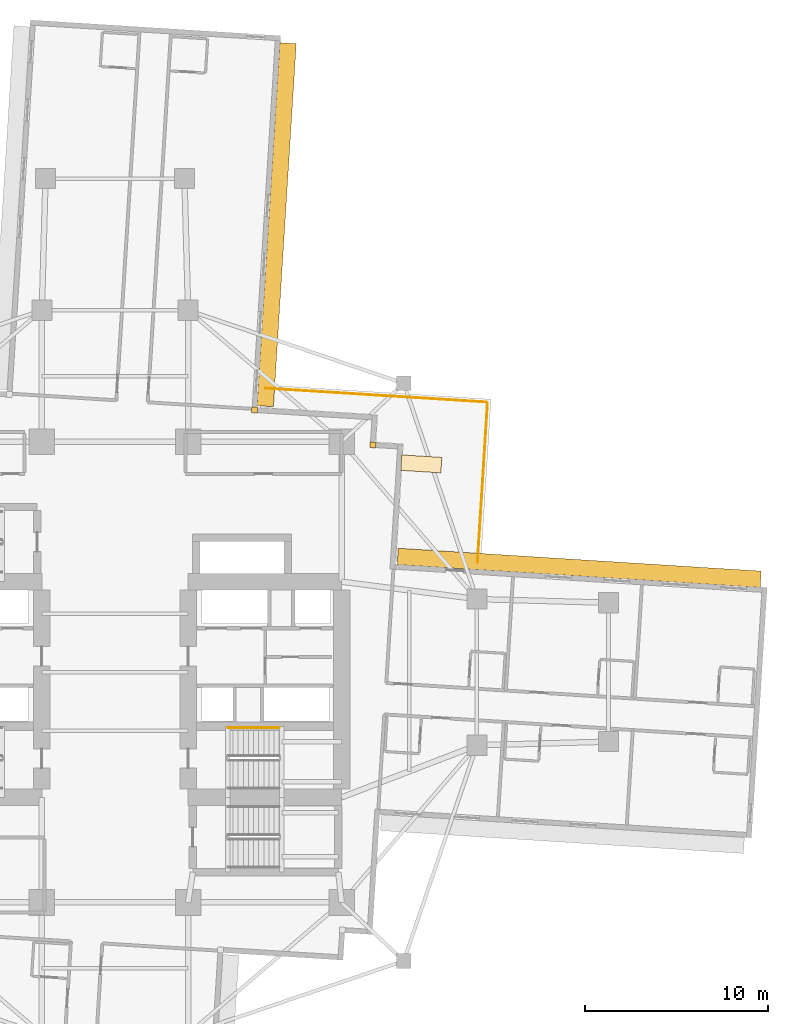
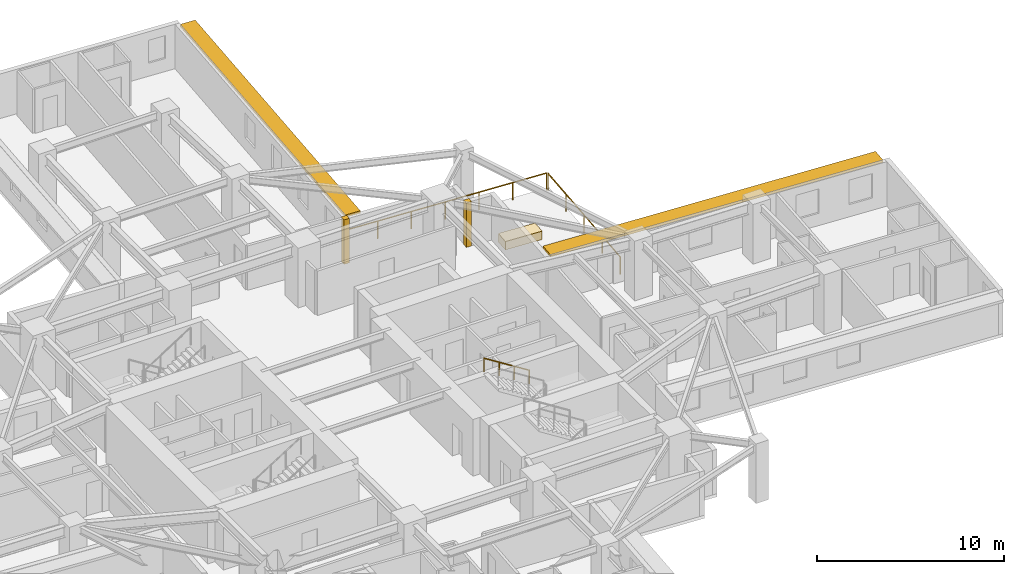
# One storey, part 14 of 14: 3 coverings, 3 railings, 2 shading devices.
"""IFC4 building model written with IfcOpenShell, lengths in metres."""

from ifc_helpers import new_model, si_unit, direction, frame, origin, origin_2d, place, context, subcontext, project, spatial, rectangle, circle, extrude, material, layer, layer_set, type_object, element, save


model = new_model("IFC4")

# Units and contexts
model_context = context("Model", 3, precision=1e-05, world=origin(), true_north=direction((0.0, 1.0)))
body_context = subcontext(model_context, "Body", "Model", "MODEL_VIEW")
ifc_project = project(units=[si_unit("LENGTHUNIT", "METRE"), si_unit("AREAUNIT", "SQUARE_METRE"), si_unit("VOLUMEUNIT", "CUBIC_METRE"), si_unit("PLANEANGLEUNIT", "RADIAN"), si_unit("MASSUNIT", "GRAM", prefix="KILO")], contexts=[model_context])

# Site, building, storey
site_placement = place(None, origin())
site = spatial("IfcSite", under=ifc_project, at=site_placement, CompositionType="ELEMENT")
building_placement = place(site_placement, origin())
building = spatial("IfcBuilding", under=site, at=building_placement, Name="Qingluan Cross Belvedere", CompositionType="ELEMENT")
storey_placement = place(building_placement, frame((0.0, 0.0, 79.5)))
storey = spatial("IfcBuildingStorey", under=building, at=storey_placement, Name="L20", CompositionType="ELEMENT", Elevation=79.5)

# Coverings
ifc_material_1 = material(Name="Precast concrete C45", Category="concrete")
ifc_layer_1 = layer(ifc_material_1, 0.1201171875, Name="ConcreteSpandrelCladding_120")
ifc_layer_set_1 = layer_set([ifc_layer_1], Name="Precast concrete C45")
covering_type_1 = type_object("IfcCoveringType", Name="ConcreteSpandrelCladding_120", PredefinedType="CLADDING", material=ifc_layer_set_1)
for number, where, z_axis, x_axis, name in (
    (1, (14.10888671875, 12.438720703125, 0.0), (0.0, 0.0, 1.0), (0.998026728428, -0.062790519529, 0.0), "Corner closure L20-NE1"),
    (2, (7.635986328125, 14.348876953125, 0.0), (0.0, 0.0, 1.0), (0.998026728428, -0.062790519529, 0.0), "Corner closure L20-NE2"),
):
    element("IfcCovering", number, at=place(storey_placement, frame(where, z_axis=z_axis, x_axis=x_axis)), inside=storey, type_object=covering_type_1, Name=name, PredefinedType="CLADDING", context=body_context, shape_type="SweptSolid", body=[
        extrude(rectangle(XDim=0.320068359375, YDim=0.320068359375, at=origin_2d()), origin(), (0.0, 0.0, 1.0), 2.909912109375),
    ])

# Shading devices
ifc_material_2 = material(Name="Precast concrete C45", Category="concrete")
ifc_layer_2 = layer(ifc_material_2, 0.159912109375, Name="ConcreteSunshadeBand_900")
ifc_layer_set_2 = layer_set([ifc_layer_2], Name="Precast concrete C45")
shading_device_type = type_object("IfcShadingDeviceType", Name="ConcreteSunshadeBand_900", PredefinedType="USERDEFINED", material=ifc_layer_set_2)
for number, where, z_axis, x_axis, name in (
    (3, (25.3984375, 5.70654296875, 2.72998046875), (0.0, 0.0, 1.0), (-0.998026999973, 0.062786203294, 0.0), "Concrete SUNSHADE L20-EB"),
    (4, (8.8447265625, 24.48291015625, 2.72998046875), (0.0, 0.0, 1.0), (0.062791158819, 0.998026688207, 0.0), "Concrete SUNSHADE L20-NA"),
):
    element("IfcShadingDevice", number, at=place(storey_placement, frame(where, z_axis=z_axis, x_axis=x_axis)), inside=storey, type_object=shading_device_type, Name=name, ObjectType="SUNSHADE", PredefinedType="USERDEFINED", context=body_context, shape_type="SweptSolid", body=[
        extrude(rectangle(XDim=19.89990234375, YDim=0.89990234375, at=origin_2d()), origin(), (0.0, 0.0, 1.0), 0.159912109375),
    ])

# Railings
ifc_material_3 = material(Name="Brushed stainless steel tubular handrail", Category="steel")
railing_type_1 = type_object("IfcRailingType", Name="StairPitchHandrail_900", PredefinedType="HANDRAIL", material=ifc_material_3)
railing_1_placement = place(storey_placement, frame((8.97998046875, -3.050048828125, 2.127197265625)))
element("IfcRailing", 5, at=railing_1_placement, inside=storey, type_object=railing_type_1, Name="L20 ST2 stair handrail 2", PredefinedType="HANDRAIL", context=body_context, shape_type="SweptSolid", body=[
    extrude(circle(Radius=0.02392578125, at=origin_2d()), frame((0.0, 0.0, 0.8759765625), z_axis=(-0.844908973607, 0.0, 0.534910110503), x_axis=(0.0, -1.0, 0.0)), (0.0, 0.0, 1.0), 3.31396484375),
    extrude(circle(Radius=0.02099609375, at=origin_2d()), origin(), (0.0, 0.0, 1.0), 0.851806640625),
    extrude(circle(Radius=0.02099609375, at=origin_2d()), frame((-0.933349609375, 0.0, 0.5908203125)), (0.0, 0.0, 1.0), 0.851806640625),
    extrude(circle(Radius=0.02099609375, at=origin_2d()), frame((-1.86669921875, 0.0, 1.181884765625)), (0.0, 0.0, 1.0), 0.851806640625),
    extrude(circle(Radius=0.02099609375, at=origin_2d()), frame((-2.800048828125, 0.0, 1.772705078125)), (0.0, 0.0, 1.0), 0.851806640625),
])
ifc_material_4 = material(Name="Laminated glass and stainless steel balustrade", Category="steel")
railing_type_2 = type_object("IfcRailingType", Name="TerraceGuardBalustrade_1150", PredefinedType="BALUSTRADE", material=ifc_material_4)
railing_2_placement = place(storey_placement, frame((8.231689453125, 15.53369140625, 0.0)))
element("IfcRailing", 6, at=railing_2_placement, inside=storey, type_object=railing_type_2, Name="Terrace guard L20-1", PredefinedType="BALUSTRADE", context=body_context, shape_type="SweptSolid", body=[
    extrude(circle(Radius=0.02392578125, at=origin_2d()), frame((0.0, 0.0, 1.1259765625), z_axis=(0.998026863736, -0.062788368842, 0.0), x_axis=(0.062788368842, 0.998026863736, 0.0)), (0.0, 0.0, 1.0), 12.119873046875),
    extrude(circle(Radius=0.02099609375, at=origin_2d()), origin(), (0.0, 0.0, 1.0), 1.101806640625),
    extrude(circle(Radius=0.02099609375, at=origin_2d()), frame((2.01611328125, -0.126953125, 0.0)), (0.0, 0.0, 1.0), 1.101806640625),
    extrude(circle(Radius=0.02099609375, at=origin_2d()), frame((4.031982421875, -0.253662109375, 0.0)), (0.0, 0.0, 1.0), 1.101806640625),
    extrude(circle(Radius=0.02099609375, at=origin_2d()), frame((6.0478515625, -0.38037109375, 0.0)), (0.0, 0.0, 1.0), 1.101806640625),
    extrude(circle(Radius=0.02099609375, at=origin_2d()), frame((8.06396484375, -0.50732421875, 0.0)), (0.0, 0.0, 1.0), 1.101806640625),
    extrude(circle(Radius=0.02099609375, at=origin_2d()), frame((10.080078125, -0.63427734375, 0.0)), (0.0, 0.0, 1.0), 1.101806640625),
    extrude(circle(Radius=0.02099609375, at=origin_2d()), frame((12.095947265625, -0.760986328125, 0.0)), (0.0, 0.0, 1.0), 1.101806640625),
])
railing_3_placement = place(storey_placement, frame((20.3837890625, 14.708984375, 0.0)))
element("IfcRailing", 7, at=railing_3_placement, inside=storey, type_object=railing_type_2, Name="Terrace guard L20-2", PredefinedType="BALUSTRADE", context=body_context, shape_type="SweptSolid", body=[
    extrude(circle(Radius=0.02392578125, at=origin_2d()), frame((0.0, 0.0, 1.1259765625), z_axis=(-0.062800106572, -0.998026125216, 0.0), x_axis=(0.998026125216, -0.062800106572, 0.0)), (0.0, 0.0, 1.0), 8.7197265625),
    extrude(circle(Radius=0.02099609375, at=origin_2d()), origin(), (0.0, 0.0, 1.0), 1.101806640625),
    extrude(circle(Radius=0.02099609375, at=origin_2d()), frame((-0.136962890625, -2.17578125, 0.0)), (0.0, 0.0, 1.0), 1.101806640625),
    extrude(circle(Radius=0.02099609375, at=origin_2d()), frame((-0.27392578125, -4.351318359375, 0.0)), (0.0, 0.0, 1.0), 1.101806640625),
    extrude(circle(Radius=0.02099609375, at=origin_2d()), frame((-0.41064453125, -6.52685546875, 0.0)), (0.0, 0.0, 1.0), 1.101806640625),
    extrude(circle(Radius=0.02099609375, at=origin_2d()), frame((-0.547607421875, -8.70263671875, 0.0)), (0.0, 0.0, 1.0), 1.101806640625),
])

# Covering
ifc_material_5 = material(Name="Precast concrete C40", Category="concrete")
ifc_layer_3 = layer(ifc_material_5, 0.550048828125, Name="TerracePlanterBox")
ifc_layer_set_3 = layer_set([ifc_layer_3], Name="Precast concrete C40")
covering_type_2 = type_object("IfcCoveringType", Name="TerracePlanterBox", PredefinedType="USERDEFINED", material=ifc_layer_set_3)
covering_placement = place(storey_placement, frame((16.758056640625, 11.39599609375, 0.0), z_axis=(0.0, 0.0, 1.0), x_axis=(0.998026728428, -0.062790519529, 0.0)))
element("IfcCovering", 8, at=covering_placement, inside=storey, type_object=covering_type_2, Name="Spiralling winter-garden planter L20", ObjectType="PLANTER", PredefinedType="USERDEFINED", context=body_context, shape_type="SweptSolid", body=[
    extrude(rectangle(XDim=2.199951171875, YDim=0.85009765625, at=origin_2d()), origin(), (0.0, 0.0, 1.0), 0.550048828125),
])

save(model, "model.ifc")
